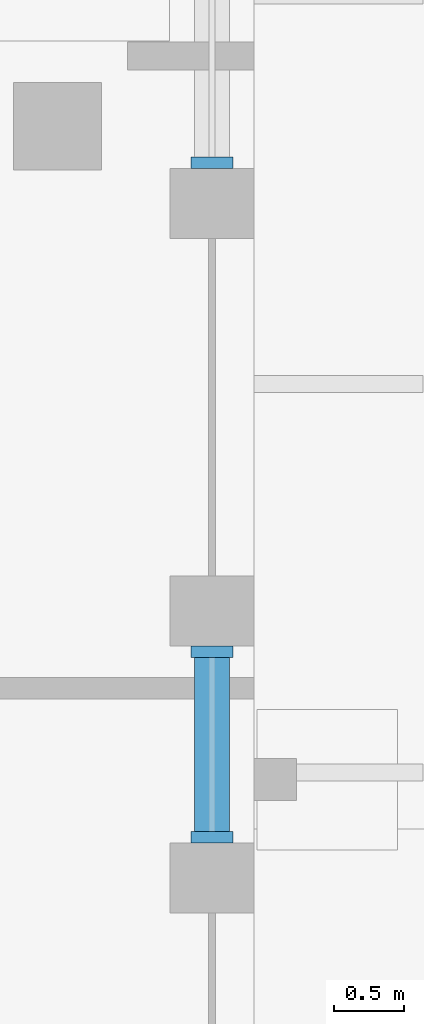
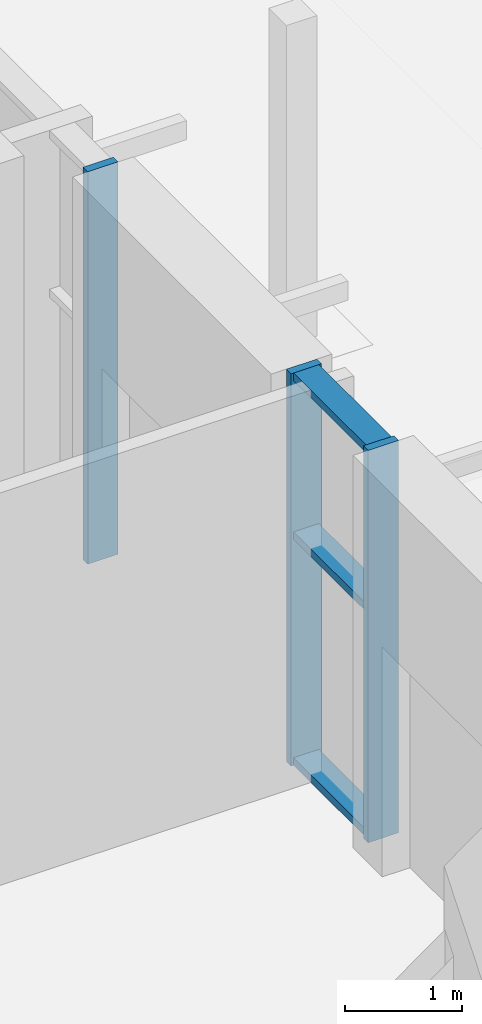
# One storey, part 10 of 42: 6 members, 2 elements without a shape of their own.
"""IFC4 building model written with IfcOpenShell, lengths in metres."""

from ifc_helpers import new_model, si_unit, direction, frame, origin, origin_2d, place, context, subcontext, project, spatial, rectangle, extrude, material, material_profile, profile_set, type_object, element, aggregate, save


model = new_model("IFC4")

# Units and contexts
model_context = context("Model", 3, precision=1e-05, world=origin(), true_north=direction((0.0, 1.0)))
body_context = subcontext(model_context, "Body", "Model", "MODEL_VIEW")
ifc_project = project(units=[si_unit("LENGTHUNIT", "METRE"), si_unit("AREAUNIT", "SQUARE_METRE"), si_unit("VOLUMEUNIT", "CUBIC_METRE"), si_unit("PLANEANGLEUNIT", "RADIAN"), si_unit("MASSUNIT", "GRAM", prefix="KILO")], contexts=[model_context])

# Site, building, storey
site_placement = place(None, origin())
site = spatial("IfcSite", under=ifc_project, at=site_placement, CompositionType="ELEMENT")
building_placement = place(site_placement, origin())
building = spatial("IfcBuilding", under=site, at=building_placement, Name="Dilmun Exchange Tower", CompositionType="ELEMENT")
storey_placement = place(building_placement, origin())
storey = spatial("IfcBuildingStorey", under=building, at=storey_placement, Name="L00", CompositionType="ELEMENT", Elevation=0.0)

# Curtain wall, members
ifc_material_1 = material(Name="Anodised aluminium and clear glass", Category="aluminium")
curtain_wall_type = type_object("IfcCurtainWallType", Name="Concourse glazing", PredefinedType="NOTDEFINED", material=ifc_material_1)
curtain_wall_1_placement = place(storey_placement, origin())
curtain_wall_1 = element("IfcCurtainWall", 1, at=curtain_wall_1_placement, inside=storey, type_object=curtain_wall_type, Name="Concourse glazing run CG3.5", PredefinedType="NOTDEFINED")
ifc_material_2 = material(Name="Anodised aluminium", Category="aluminium")
ifc_material_profile_1 = material_profile(ifc_material_2, rectangle(XDim=0.300048828125, YDim=0.080078125, at=origin_2d()), Name="AL 80x300")
ifc_profile_set_1 = profile_set([ifc_material_profile_1], Name="Anodised aluminium")
member_type_1 = type_object("IfcMemberType", Name="Concourse glazing mullion 80 x 300", PredefinedType="MULLION", material=ifc_profile_set_1)
member_1_placement = place(storey_placement, frame((35.699951171875, -14.06005859375, 0.0), z_axis=(0.0, 0.0, 1.0), x_axis=(-1.0, 0.0, 0.0)))
member_1 = element("IfcMember", 2, at=member_1_placement, type_object=member_type_1, Name="CG3.5 mullion 1", PredefinedType="MULLION", context=body_context, shape_type="SweptSolid", body=[
    extrude(rectangle(XDim=0.300048828125, YDim=0.080078125, at=origin_2d()), origin(), (0.0, 0.0, 1.0), 4.10009765625),
])
member_2_placement = place(storey_placement, frame((35.699951171875, -12.739990234375, 0.0), z_axis=(0.0, 0.0, 1.0), x_axis=(-1.0, 0.0, 0.0)))
member_2 = element("IfcMember", 3, at=member_2_placement, type_object=member_type_1, Name="CG3.5 mullion 2", PredefinedType="MULLION", context=body_context, shape_type="SweptSolid", body=[
    extrude(rectangle(XDim=0.300048828125, YDim=0.080078125, at=origin_2d()), origin(), (0.0, 0.0, 1.0), 4.10009765625),
])

# Curtain wall, member
curtain_wall_2_placement = place(storey_placement, origin())
curtain_wall_2 = element("IfcCurtainWall", 4, at=curtain_wall_2_placement, inside=storey, type_object=curtain_wall_type, Name="Concourse glazing run CG3.7", PredefinedType="NOTDEFINED")
member_3_placement = place(storey_placement, frame((35.699951171875, -9.260009765625, 0.0), z_axis=(0.0, 0.0, 1.0), x_axis=(-1.0, 0.0, 0.0)))
member_3 = element("IfcMember", 5, at=member_3_placement, type_object=member_type_1, Name="CG3.7 mullion 1", PredefinedType="MULLION", context=body_context, shape_type="SweptSolid", body=[
    extrude(rectangle(XDim=0.300048828125, YDim=0.080078125, at=origin_2d()), origin(), (0.0, 0.0, 1.0), 4.10009765625),
])
aggregate(curtain_wall_2, [member_3])

# Member
ifc_material_profile_2 = material_profile(ifc_material_2, rectangle(XDim=0.25, YDim=0.080078125, at=origin_2d()), Name="AL 80x250")
ifc_profile_set_2 = profile_set([ifc_material_profile_2], Name="Anodised aluminium")
member_type_2 = type_object("IfcMemberType", Name="Concourse glazing transom 80 x 250", PredefinedType="USERDEFINED", material=ifc_profile_set_2)
member_4_placement = place(storey_placement, frame((35.699951171875, -14.02001953125, 0.0400390625), z_axis=(0.0, 1.0, 0.0), x_axis=(-1.0, 0.0, 0.0)))
member_4 = element("IfcMember", 6, at=member_4_placement, type_object=member_type_2, Name="CG3.5 transom 1.1", ObjectType="TRANSOM", PredefinedType="USERDEFINED", context=body_context, shape_type="SweptSolid", body=[
    extrude(rectangle(XDim=0.25, YDim=0.080078125, at=origin_2d()), origin(), (0.0, 0.0, 1.0), 1.239990234375),
])

member_5_placement = place(storey_placement, frame((35.699951171875, -14.02001953125, 2.39990234375), z_axis=(0.0, 1.0, 0.0), x_axis=(-1.0, 0.0, 0.0)))
member_5 = element("IfcMember", 7, at=member_5_placement, type_object=member_type_2, Name="CG3.5 transom 1.2", ObjectType="TRANSOM", PredefinedType="USERDEFINED", context=body_context, shape_type="SweptSolid", body=[
    extrude(rectangle(XDim=0.25, YDim=0.080078125, at=origin_2d()), origin(), (0.0, 0.0, 1.0), 1.239990234375),
])

member_6_placement = place(storey_placement, frame((35.699951171875, -14.02001953125, 4.06005859375), z_axis=(0.0, 1.0, 0.0), x_axis=(-1.0, 0.0, 0.0)))
member_6 = element("IfcMember", 8, at=member_6_placement, type_object=member_type_2, Name="CG3.5 transom 1.3", ObjectType="TRANSOM", PredefinedType="USERDEFINED", context=body_context, shape_type="SweptSolid", body=[
    extrude(rectangle(XDim=0.25, YDim=0.080078125, at=origin_2d()), origin(), (0.0, 0.0, 1.0), 1.239990234375),
])

aggregate(curtain_wall_1, [member_1, member_2, member_4, member_5, member_6])

save(model, "model.ifc")
